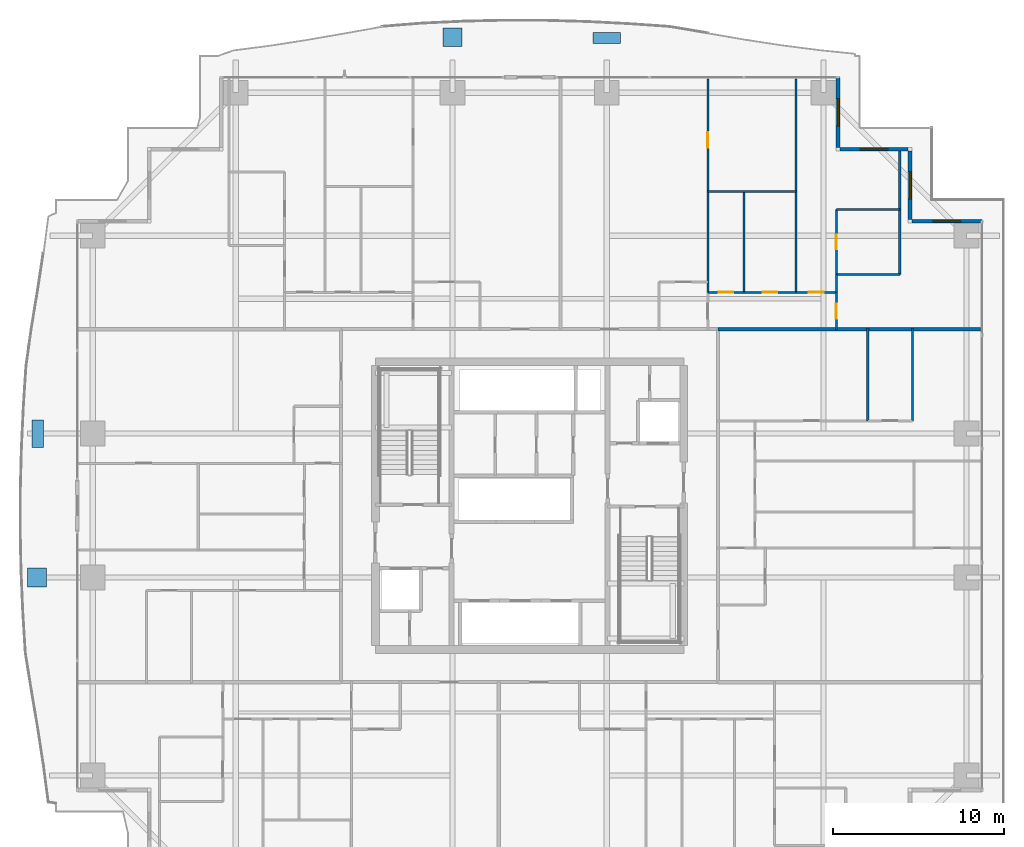
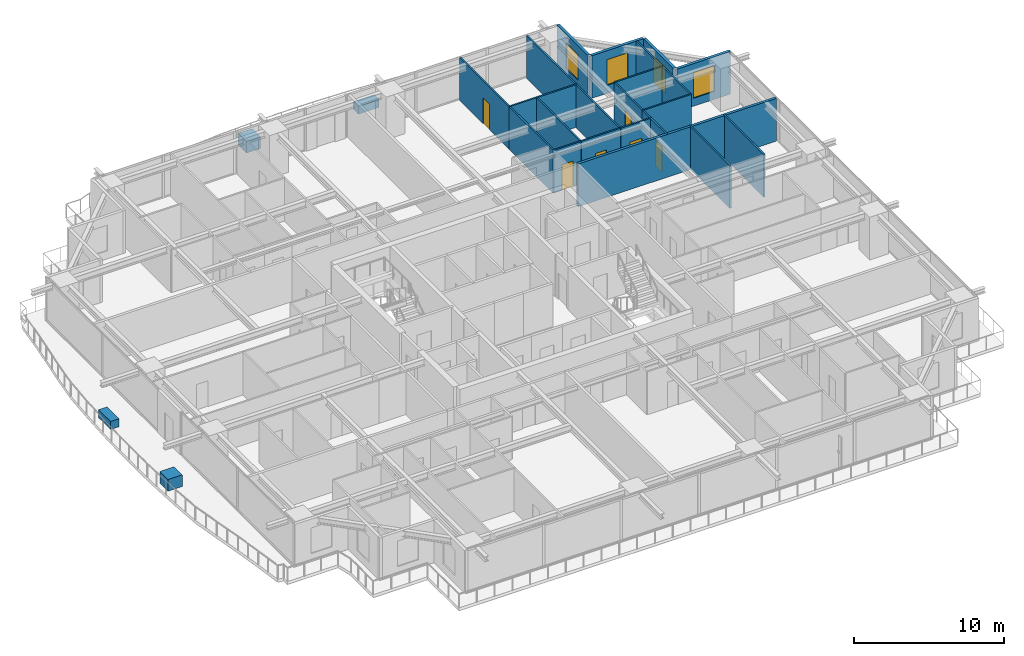
# One storey, part 28 of 36: 21 walls, 6 doors, 4 discrete accessories, 4 windows, 10 openings.
"""IFC4 building model written with IfcOpenShell, lengths in metres."""

from ifc_helpers import new_model, si_unit, direction, frame, frame_2d, origin, origin_2d, place, context, subcontext, project, spatial, rectangle, extrude, source, transform, mapped, material, layer, layer_set, type_object, element, fill, save


model = new_model("IFC4")

# Units and contexts
model_context = context("Model", 3, precision=1e-05, world=origin(), true_north=direction((0.0, 1.0)))
body_context = subcontext(model_context, "Body", "Model", "MODEL_VIEW")
ifc_project = project(units=[si_unit("LENGTHUNIT", "METRE"), si_unit("AREAUNIT", "SQUARE_METRE"), si_unit("VOLUMEUNIT", "CUBIC_METRE"), si_unit("PLANEANGLEUNIT", "RADIAN"), si_unit("MASSUNIT", "GRAM", prefix="KILO")], contexts=[model_context])

# Site, building, storey
site_placement = place(None, origin())
site = spatial("IfcSite", under=ifc_project, at=site_placement, CompositionType="ELEMENT")
building_placement = place(site_placement, origin())
building = spatial("IfcBuilding", under=site, at=building_placement, Name="Serunith Strait Residences", CompositionType="ELEMENT")
storey_placement = place(building_placement, frame((0.0, 0.0, 41.699951171875)))
storey = spatial("IfcBuildingStorey", under=building, at=storey_placement, Name="L09", CompositionType="ELEMENT", Elevation=41.699951171875)

# Wall, opening, window
ifc_material_1 = material(Name="Pale-Champagne Aluminium Insulated Panel", Category="aluminium")
ifc_layer_1 = layer(ifc_material_1, 0.219970703125, Name="Pale-Champagne Aluminium Insulated Panel")
ifc_layer_set_1 = layer_set([ifc_layer_1], Name="Pale-Champagne Aluminium Insulated Panel")
wall_type_1 = type_object("IfcWallType", Name="EW-ALUM-220", PredefinedType="ELEMENTEDWALL", material=ifc_layer_set_1)
wall_1_placement = place(storey_placement, frame((58.800048828125, 41.800048828125, 0.0), z_axis=(0.0, 0.0, 1.0), x_axis=(-1.0, 0.0, 0.0)))
wall_1 = element("IfcWall", 1, at=wall_1_placement, inside=storey, type_object=wall_type_1, Name="L09 Girih Serrated Corner Wall 07", PredefinedType="ELEMENTEDWALL", context=body_context, shape_type="SweptSolid", body=[
    extrude(rectangle(XDim=4.090087890625, YDim=0.219970703125, at=frame_2d((2.044921875, 0.0))), origin(), (0.0, 0.0, 1.0), 3.47509765625),
])
opening_1_placement = place(wall_1_placement, frame((1.2451171875, 0.0, 0.64990234375)))
opening_1 = element("IfcOpeningElement", 2, at=opening_1_placement, cuts=wall_1, Name="Opening W-02", PredefinedType="OPENING", context=body_context, shape_type="SweptSolid", body=[
    extrude(rectangle(XDim=1.60009765625, YDim=2.10009765625, at=frame_2d((0.800048828125, 1.050048828125))), frame((0.0, 0.1201171875, 0.0), z_axis=(0.0, -1.0, 0.0), x_axis=(1.0, 0.0, 0.0)), (0.0, 0.0, 1.0), 0.239990234375),
])
ifc_material_2 = material(Name="Ceramic-Fritted Operable Aluminium Window Glass", Category="aluminium")
window_type = type_object("IfcWindowType", Name="WIN-C2", PartitioningType="DOUBLE_PANEL_VERTICAL", PredefinedType="WINDOW", material=ifc_material_2)
shared_shape_1 = source(origin(), body_context, "Body", "SweptSolid", [
    extrude(rectangle(XDim=1.60009765625, YDim=2.10009765625, at=frame_2d((0.800048828125, 1.050048828125))), frame((0.0, 0.030029296875, 0.0), z_axis=(0.0, -1.0, 0.0), x_axis=(1.0, 0.0, 0.0)), (0.0, 0.0, 1.0), 0.06005859375),
])
window_1_placement = place(opening_1_placement, origin())
window_1 = element("IfcWindow", 3, at=window_1_placement, inside=storey, type_object=window_type, Name="L09 Corner Operable Fritted Window 07", OverallHeight=2.10009765625, OverallWidth=1.60009765625, PartitioningType="SINGLE_PANEL", PredefinedType="WINDOW", context=body_context, shape_type="MappedRepresentation", body=[
    mapped(shared_shape_1, transform((0.0, 0.0, 0.0), scale=1.0)),
])
fill(opening_1, window_1)

wall_2_placement = place(storey_placement, frame((54.60009765625, 41.909912109375, 0.0), z_axis=(0.0, 0.0, 1.0), x_axis=(0.0, 1.0, 0.0)))
wall_2 = element("IfcWall", 4, at=wall_2_placement, inside=storey, type_object=wall_type_1, Name="L09 Girih Serrated Corner Wall 08", PredefinedType="ELEMENTEDWALL", context=body_context, shape_type="SweptSolid", body=[
    extrude(rectangle(XDim=3.97998046875, YDim=0.219970703125, at=frame_2d((1.989990234375, 0.0))), origin(), (0.0, 0.0, 1.0), 3.47509765625),
])
opening_2_placement = place(wall_2_placement, frame((1.18994140625, 0.0, 0.64990234375)))
opening_2 = element("IfcOpeningElement", 5, at=opening_2_placement, cuts=wall_2, Name="Opening W-02", PredefinedType="OPENING", context=body_context, shape_type="SweptSolid", body=[
    extrude(rectangle(XDim=1.60009765625, YDim=2.10009765625, at=frame_2d((0.800048828125, 1.050048828125))), frame((0.0, 0.1201171875, 0.0), z_axis=(0.0, -1.0, 0.0), x_axis=(1.0, 0.0, 0.0)), (0.0, 0.0, 1.0), 0.239990234375),
])
window_2_placement = place(opening_2_placement, origin())
window_2 = element("IfcWindow", 6, at=window_2_placement, inside=storey, type_object=window_type, Name="L09 Corner Operable Fritted Window 08", OverallHeight=2.10009765625, OverallWidth=1.60009765625, PartitioningType="SINGLE_PANEL", PredefinedType="WINDOW", context=body_context, shape_type="MappedRepresentation", body=[
    mapped(shared_shape_1, transform((0.0, 0.0, 0.0), scale=1.0)),
])
fill(opening_2, window_2)

wall_3_placement = place(storey_placement, frame((54.489990234375, 46.0, 0.0), z_axis=(0.0, 0.0, 1.0), x_axis=(-1.0, 0.0, 0.0)))
wall_3 = element("IfcWall", 7, at=wall_3_placement, inside=storey, type_object=wall_type_1, Name="L09 Girih Serrated Corner Wall 09", PredefinedType="ELEMENTEDWALL", context=body_context, shape_type="SweptSolid", body=[
    extrude(rectangle(XDim=3.97998046875, YDim=0.219970703125, at=frame_2d((1.989990234375, 0.0))), origin(), (0.0, 0.0, 1.0), 3.47509765625),
])
opening_3_placement = place(wall_3_placement, frame((1.18994140625, 0.0, 0.64990234375)))
opening_3 = element("IfcOpeningElement", 8, at=opening_3_placement, cuts=wall_3, Name="Opening W-02", PredefinedType="OPENING", context=body_context, shape_type="SweptSolid", body=[
    extrude(rectangle(XDim=1.60009765625, YDim=2.10009765625, at=frame_2d((0.800048828125, 1.050048828125))), frame((0.0, 0.1201171875, 0.0), z_axis=(0.0, -1.0, 0.0), x_axis=(1.0, 0.0, 0.0)), (0.0, 0.0, 1.0), 0.239990234375),
])
window_3_placement = place(opening_3_placement, origin())
window_3 = element("IfcWindow", 9, at=window_3_placement, inside=storey, type_object=window_type, Name="L09 Corner Operable Fritted Window 09", OverallHeight=2.10009765625, OverallWidth=1.60009765625, PartitioningType="SINGLE_PANEL", PredefinedType="WINDOW", context=body_context, shape_type="MappedRepresentation", body=[
    mapped(shared_shape_1, transform((0.0, 0.0, 0.0), scale=1.0)),
])
fill(opening_3, window_3)

wall_4_placement = place(storey_placement, frame((50.39990234375, 46.110107421875, 0.0), z_axis=(0.0, 0.0, 1.0), x_axis=(0.0, 1.0, 0.0)))
wall_4 = element("IfcWall", 10, at=wall_4_placement, inside=storey, type_object=wall_type_1, Name="L09 Girih Serrated Corner Wall 10", PredefinedType="ELEMENTEDWALL", context=body_context, shape_type="SweptSolid", body=[
    extrude(rectangle(XDim=4.08984375, YDim=0.219970703125, at=frame_2d((2.044921875, 0.0))), origin(), (0.0, 0.0, 1.0), 3.47509765625),
])
opening_4_placement = place(wall_4_placement, frame((1.2451171875, 0.0, 0.64990234375)))
opening_4 = element("IfcOpeningElement", 11, at=opening_4_placement, cuts=wall_4, Name="Opening W-02", PredefinedType="OPENING", context=body_context, shape_type="SweptSolid", body=[
    extrude(rectangle(XDim=1.60009765625, YDim=2.10009765625, at=frame_2d((0.800048828125, 1.050048828125))), frame((0.0, 0.1201171875, 0.0), z_axis=(0.0, -1.0, 0.0), x_axis=(1.0, 0.0, 0.0)), (0.0, 0.0, 1.0), 0.239990234375),
])
window_4_placement = place(opening_4_placement, origin())
window_4 = element("IfcWindow", 12, at=window_4_placement, inside=storey, type_object=window_type, Name="L09 Corner Operable Fritted Window 10", OverallHeight=2.10009765625, OverallWidth=1.60009765625, PartitioningType="SINGLE_PANEL", PredefinedType="WINDOW", context=body_context, shape_type="MappedRepresentation", body=[
    mapped(shared_shape_1, transform((0.0, 0.0, 0.0), scale=1.0)),
])
fill(opening_4, window_4)

# Wall, opening, door
ifc_material_3 = material(Name="Lightweight steel-stud gypsum partition", Category="steel")
ifc_layer_2 = layer(ifc_material_3, 0.1201171875, Name="Lightweight steel-stud gypsum partition")
ifc_layer_set_2 = layer_set([ifc_layer_2], Name="Lightweight steel-stud gypsum partition")
wall_type_2 = type_object("IfcWallType", Name="IW-PART-120", PredefinedType="PARTITIONING", material=ifc_layer_set_2)
wall_5_placement = place(storey_placement, frame((42.800048828125, 50.10498046875, 0.0), z_axis=(0.0, 0.0, 1.0), x_axis=(0.0, -1.0, 0.0)))
wall_5 = element("IfcWall", 13, at=wall_5_placement, inside=storey, type_object=wall_type_2, Name="L09 Partition Wall 081", PredefinedType="PARTITIONING", context=body_context, shape_type="SweptSolid", body=[
    extrude(rectangle(XDim=6.56494140625, YDim=0.1201171875, at=frame_2d((3.282470703125, 0.0))), origin(), (0.0, 0.0, 1.0), 3.489990234375),
])
opening_5_placement = place(wall_5_placement, frame((3.115966796875, 0.0, 0.0)))
opening_5 = element("IfcOpeningElement", 14, at=opening_5_placement, cuts=wall_5, Name="Opening D-RM900", PredefinedType="OPENING", context=body_context, shape_type="SweptSolid", body=[
    extrude(rectangle(XDim=0.89990234375, YDim=2.10009765625, at=frame_2d((0.449951171875, 1.050048828125))), frame((0.0, 0.070068359375, 0.0), z_axis=(0.0, -1.0, 0.0), x_axis=(1.0, 0.0, 0.0)), (0.0, 0.0, 1.0), 0.14013671875),
])
ifc_material_4 = material(Name="Engineered timber flush bedroom door", Category="wood")
door_type_1 = type_object("IfcDoorType", Name="ID-ROOM-900", OperationType="NOTDEFINED", PredefinedType="DOOR", material=ifc_material_4)
shared_shape_2 = source(origin(), body_context, "Body", "SweptSolid", [
    extrude(rectangle(XDim=0.89990234375, YDim=2.10009765625, at=frame_2d((0.449951171875, 1.050048828125))), frame((0.0, 0.02490234375, 0.0), z_axis=(0.0, -1.0, 0.0), x_axis=(1.0, 0.0, 0.0)), (0.0, 0.0, 1.0), 0.050048828125),
])
door_1_placement = place(opening_5_placement, origin())
door_1 = element("IfcDoor", 15, at=door_1_placement, inside=storey, type_object=door_type_1, Name="L09 Formal Dining Room 1 0904 Door", OperationType="SINGLE_SWING_LEFT", OverallHeight=2.10009765625, OverallWidth=0.89990234375, PredefinedType="DOOR", context=body_context, shape_type="MappedRepresentation", body=[
    mapped(shared_shape_2, transform((0.0, 0.0, 0.0), scale=1.0)),
])
fill(opening_5, door_1)

# Walls
wall_6_placement = place(storey_placement, frame((42.800048828125, 43.5380859375, 0.0), z_axis=(0.0, 0.0, 1.0), x_axis=(0.0, -1.0, 0.0)))
element("IfcWall", 16, at=wall_6_placement, inside=storey, type_object=wall_type_2, Name="L09 Partition Wall 082", PredefinedType="PARTITIONING", context=body_context, shape_type="SweptSolid", body=[
    extrude(rectangle(XDim=5.885986328125, YDim=0.1201171875, at=frame_2d((2.94287109375, 0.0))), origin(), (0.0, 0.0, 1.0), 3.489990234375),
])
wall_7_placement = place(storey_placement, frame((42.800048828125, 43.5400390625, 0.0), z_axis=(0.0, 0.0, 1.0), x_axis=(1.0, 0.0, 0.0)))
element("IfcWall", 17, at=wall_7_placement, inside=storey, type_object=wall_type_2, Name="L09 Partition Wall 083", PredefinedType="PARTITIONING", context=body_context, shape_type="SweptSolid", body=[
    extrude(rectangle(XDim=5.14990234375, YDim=0.1201171875, at=frame_2d((2.574951171875, 0.0))), origin(), (0.0, 0.0, 1.0), 3.489990234375),
])
wall_8_placement = place(storey_placement, frame((47.949951171875, 50.10498046875, 0.0), z_axis=(0.0, 0.0, 1.0), x_axis=(0.0, -1.0, 0.0)))
element("IfcWall", 18, at=wall_8_placement, inside=storey, type_object=wall_type_2, Name="L09 Partition Wall 084", PredefinedType="PARTITIONING", context=body_context, shape_type="SweptSolid", body=[
    extrude(rectangle(XDim=12.455078125, YDim=0.1201171875, at=frame_2d((6.2275390625, 0.0))), origin(), (0.0, 0.0, 1.0), 3.489990234375),
])
wall_9_placement = place(storey_placement, frame((44.89990234375, 43.5400390625, 0.0), z_axis=(0.0, 0.0, 1.0), x_axis=(0.0, -1.0, 0.0)))
element("IfcWall", 19, at=wall_9_placement, inside=storey, type_object=wall_type_2, Name="L09 Partition Wall 085", PredefinedType="PARTITIONING", context=body_context, shape_type="SweptSolid", body=[
    extrude(rectangle(XDim=5.89013671875, YDim=0.1201171875, at=frame_2d((2.945068359375, 0.0))), origin(), (0.0, 0.0, 1.0), 3.489990234375),
])

# Wall, opening, door
wall_10_placement = place(storey_placement, frame((42.800048828125, 37.64990234375, 0.0), z_axis=(0.0, 0.0, 1.0), x_axis=(1.0, 0.0, 0.0)))
wall_10 = element("IfcWall", 20, at=wall_10_placement, inside=storey, type_object=wall_type_2, Name="L09 Partition Wall 086", PredefinedType="PARTITIONING", context=body_context, shape_type="SweptSolid", body=[
    extrude(rectangle(XDim=2.099853515625, YDim=0.1201171875, at=frame_2d((1.0498046875, 0.0))), origin(), (0.0, 0.0, 1.0), 3.489990234375),
])
opening_6_placement = place(wall_10_placement, frame((0.625, 0.0, 0.0)))
opening_6 = element("IfcOpeningElement", 21, at=opening_6_placement, cuts=wall_10, Name="Opening D-BTH850", PredefinedType="OPENING", context=body_context, shape_type="SweptSolid", body=[
    extrude(rectangle(XDim=0.85009765625, YDim=2.10009765625, at=frame_2d((0.425048828125, 1.050048828125))), frame((0.0, 0.070068359375, 0.0), z_axis=(0.0, -1.0, 0.0), x_axis=(1.0, 0.0, 0.0)), (0.0, 0.0, 1.0), 0.14013671875),
])
ifc_material_5 = material(Name="Moisture-resistant timber bathroom door", Category="wood")
door_type_2 = type_object("IfcDoorType", Name="ID-BATH-850", OperationType="NOTDEFINED", PredefinedType="DOOR", material=ifc_material_5)
shared_shape_3 = source(origin(), body_context, "Body", "SweptSolid", [
    extrude(rectangle(XDim=0.85009765625, YDim=2.10009765625, at=frame_2d((0.425048828125, 1.050048828125))), frame((0.0, 0.02490234375, 0.0), z_axis=(0.0, -1.0, 0.0), x_axis=(1.0, 0.0, 0.0)), (0.0, 0.0, 1.0), 0.050048828125),
])
door_2_placement = place(opening_6_placement, origin())
door_2 = element("IfcDoor", 22, at=door_2_placement, inside=storey, type_object=door_type_2, Name="L09 Bathroom 0904 Door", OperationType="SINGLE_SWING_RIGHT", OverallHeight=2.10009765625, OverallWidth=0.85009765625, PredefinedType="DOOR", context=body_context, shape_type="MappedRepresentation", body=[
    mapped(shared_shape_3, transform((0.0, 0.0, 0.0), scale=1.0)),
])
fill(opening_6, door_2)

wall_11_placement = place(storey_placement, frame((44.902099609375, 37.64990234375, 0.0), z_axis=(0.0, 0.0, 1.0), x_axis=(1.0, 0.0, 0.0)))
wall_11 = element("IfcWall", 23, at=wall_11_placement, inside=storey, type_object=wall_type_2, Name="L09 Partition Wall 087", PredefinedType="PARTITIONING", context=body_context, shape_type="SweptSolid", body=[
    extrude(rectangle(XDim=3.0478515625, YDim=0.1201171875, at=frame_2d((1.52392578125, 0.0))), origin(), (0.0, 0.0, 1.0), 3.489990234375),
])
opening_7_placement = place(wall_11_placement, frame((1.09912109375, 0.0, 0.0)))
opening_7 = element("IfcOpeningElement", 24, at=opening_7_placement, cuts=wall_11, Name="Opening D-RM850", PredefinedType="OPENING", context=body_context, shape_type="SweptSolid", body=[
    extrude(rectangle(XDim=0.85009765625, YDim=2.10009765625, at=frame_2d((0.425048828125, 1.050048828125))), frame((0.0, 0.070068359375, 0.0), z_axis=(0.0, -1.0, 0.0), x_axis=(1.0, 0.0, 0.0)), (0.0, 0.0, 1.0), 0.14013671875),
])
ifc_material_6 = material(Name="Engineered timber flush study and kitchen door", Category="wood")
door_type_3 = type_object("IfcDoorType", Name="ID-ROOM-850", OperationType="NOTDEFINED", PredefinedType="DOOR", material=ifc_material_6)
door_3_placement = place(opening_7_placement, origin())
door_3 = element("IfcDoor", 25, at=door_3_placement, inside=storey, type_object=door_type_3, Name="L09 Formal Dining Room 0904 Door", OperationType="SINGLE_SWING_LEFT", OverallHeight=2.10009765625, OverallWidth=0.85009765625, PredefinedType="DOOR", context=body_context, shape_type="MappedRepresentation", body=[
    mapped(shared_shape_3, transform((0.0, 0.0, 0.0), scale=1.0)),
])
fill(opening_7, door_3)

wall_12_placement = place(storey_placement, frame((47.951904296875, 37.64990234375, 0.0), z_axis=(0.0, 0.0, 1.0), x_axis=(1.0, 0.0, 0.0)))
wall_12 = element("IfcWall", 26, at=wall_12_placement, inside=storey, type_object=wall_type_2, Name="L09 Partition Wall 088", PredefinedType="PARTITIONING", context=body_context, shape_type="SweptSolid", body=[
    extrude(rectangle(XDim=2.34814453125, YDim=0.1201171875, at=frame_2d((1.174072265625, 0.0))), origin(), (0.0, 0.0, 1.0), 3.489990234375),
])
opening_8_placement = place(wall_12_placement, frame((0.72412109375, 0.0, 0.0)))
opening_8 = element("IfcOpeningElement", 27, at=opening_8_placement, cuts=wall_12, Name="Opening D-RM900", PredefinedType="OPENING", context=body_context, shape_type="SweptSolid", body=[
    extrude(rectangle(XDim=0.89990234375, YDim=2.10009765625, at=frame_2d((0.449951171875, 1.050048828125))), frame((0.0, 0.070068359375, 0.0), z_axis=(0.0, -1.0, 0.0), x_axis=(1.0, 0.0, 0.0)), (0.0, 0.0, 1.0), 0.14013671875),
])
door_4_placement = place(opening_8_placement, origin())
door_4 = element("IfcDoor", 28, at=door_4_placement, inside=storey, type_object=door_type_1, Name="L09 Master Bedroom E 0904 Door", OperationType="SINGLE_SWING_RIGHT", OverallHeight=2.10009765625, OverallWidth=0.89990234375, PredefinedType="DOOR", context=body_context, shape_type="MappedRepresentation", body=[
    mapped(shared_shape_2, transform((0.0, 0.0, 0.0), scale=1.0)),
])
fill(opening_8, door_4)

# Walls
wall_13_placement = place(storey_placement, frame((50.300048828125, 42.47705078125, 0.0), z_axis=(0.0, 0.0, 1.0), x_axis=(1.0, 0.0, 0.0)))
element("IfcWall", 29, at=wall_13_placement, inside=storey, type_object=wall_type_2, Name="L09 Partition Wall 089", PredefinedType="PARTITIONING", context=body_context, shape_type="SweptSolid", body=[
    extrude(rectangle(XDim=3.699951171875, YDim=0.1201171875, at=frame_2d((1.85009765625, 0.0))), origin(), (0.0, 0.0, 1.0), 3.489990234375),
])
wall_14_placement = place(storey_placement, frame((54.0, 45.905029296875, 0.0), z_axis=(0.0, 0.0, 1.0), x_axis=(0.0, -1.0, 0.0)))
element("IfcWall", 30, at=wall_14_placement, inside=storey, type_object=wall_type_2, Name="L09 Partition Wall 090", PredefinedType="PARTITIONING", context=body_context, shape_type="SweptSolid", body=[
    extrude(rectangle(XDim=7.2119140625, YDim=0.1201171875, at=frame_2d((3.60595703125, 0.0))), origin(), (0.0, 0.0, 1.0), 3.489990234375),
])
wall_15_placement = place(storey_placement, frame((50.300048828125, 38.693115234375, 0.0), z_axis=(0.0, 0.0, 1.0), x_axis=(1.0, 0.0, 0.0)))
element("IfcWall", 31, at=wall_15_placement, inside=storey, type_object=wall_type_2, Name="L09 Partition Wall 091", PredefinedType="PARTITIONING", context=body_context, shape_type="SweptSolid", body=[
    extrude(rectangle(XDim=3.699951171875, YDim=0.1201171875, at=frame_2d((1.85009765625, 0.0))), origin(), (0.0, 0.0, 1.0), 3.489990234375),
])

# Wall, opening, door
wall_16_placement = place(storey_placement, frame((50.300048828125, 42.47705078125, 0.0), z_axis=(0.0, 0.0, 1.0), x_axis=(0.0, -1.0, 0.0)))
wall_16 = element("IfcWall", 32, at=wall_16_placement, inside=storey, type_object=wall_type_2, Name="L09 Partition Wall 092", PredefinedType="PARTITIONING", context=body_context, shape_type="SweptSolid", body=[
    extrude(rectangle(XDim=3.783935546875, YDim=0.1201171875, at=frame_2d((1.89208984375, 0.0))), origin(), (0.0, 0.0, 1.0), 3.489990234375),
])
opening_9_placement = place(wall_16_placement, frame((1.467041015625, 0.0, 0.0)))
opening_9 = element("IfcOpeningElement", 33, at=opening_9_placement, cuts=wall_16, Name="Opening D-BTH850", PredefinedType="OPENING", context=body_context, shape_type="SweptSolid", body=[
    extrude(rectangle(XDim=0.85009765625, YDim=2.10009765625, at=frame_2d((0.425048828125, 1.050048828125))), frame((0.0, 0.070068359375, 0.0), z_axis=(0.0, -1.0, 0.0), x_axis=(1.0, 0.0, 0.0)), (0.0, 0.0, 1.0), 0.14013671875),
])
door_5_placement = place(opening_9_placement, origin())
door_5 = element("IfcDoor", 34, at=door_5_placement, inside=storey, type_object=door_type_2, Name="L09 En-suite Bathroom E 0904 Door", OperationType="SINGLE_SWING_LEFT", OverallHeight=2.10009765625, OverallWidth=0.85009765625, PredefinedType="DOOR", context=body_context, shape_type="MappedRepresentation", body=[
    mapped(shared_shape_3, transform((0.0, 0.0, 0.0), scale=1.0)),
])
fill(opening_9, door_5)

# Wall
wall_17_placement = place(storey_placement, frame((50.300048828125, 38.69091796875, 0.0), z_axis=(0.0, 0.0, 1.0), x_axis=(0.0, -1.0, 0.0)))
element("IfcWall", 35, at=wall_17_placement, inside=storey, type_object=wall_type_2, Name="L09 Partition Wall 093", PredefinedType="PARTITIONING", context=body_context, shape_type="SweptSolid", body=[
    extrude(rectangle(XDim=1.041015625, YDim=0.1201171875, at=frame_2d((0.5205078125, 0.0))), origin(), (0.0, 0.0, 1.0), 3.489990234375),
])

# Wall, opening, door
wall_18_placement = place(storey_placement, frame((50.300048828125, 37.64794921875, 0.0), z_axis=(0.0, 0.0, 1.0), x_axis=(0.0, -1.0, 0.0)))
wall_18 = element("IfcWall", 36, at=wall_18_placement, inside=storey, type_object=wall_type_2, Name="L09 Partition Wall 094", PredefinedType="PARTITIONING", context=body_context, shape_type="SweptSolid", body=[
    extrude(rectangle(XDim=2.2080078125, YDim=0.1201171875, at=frame_2d((1.10400390625, 0.0))), origin(), (0.0, 0.0, 1.0), 3.489990234375),
])
opening_10_placement = place(wall_18_placement, frame((0.678955078125, 0.0, 0.0)))
opening_10 = element("IfcOpeningElement", 37, at=opening_10_placement, cuts=wall_18, Name="Opening D-RM850", PredefinedType="OPENING", context=body_context, shape_type="SweptSolid", body=[
    extrude(rectangle(XDim=0.85009765625, YDim=2.10009765625, at=frame_2d((0.425048828125, 1.050048828125))), frame((0.0, 0.070068359375, 0.0), z_axis=(0.0, -1.0, 0.0), x_axis=(1.0, 0.0, 0.0)), (0.0, 0.0, 1.0), 0.14013671875),
])
door_6_placement = place(opening_10_placement, origin())
door_6 = element("IfcDoor", 38, at=door_6_placement, inside=storey, type_object=door_type_3, Name="L09 Wardrobe E 0904 Door", OperationType="SINGLE_SWING_RIGHT", OverallHeight=2.10009765625, OverallWidth=0.85009765625, PredefinedType="DOOR", context=body_context, shape_type="MappedRepresentation", body=[
    mapped(shared_shape_3, transform((0.0, 0.0, 0.0), scale=1.0)),
])
fill(opening_10, door_6)

# Walls
for number, where, z_axis, x_axis, name in (
    (39, (54.75, 30.14990234375, 0.0), (0.0, 0.0, 1.0), (0.0, 1.0, 0.0), "L09 Partition Wall 122"),
    (40, (52.133056640625, 30.14990234375, 0.0), (0.0, 0.0, 1.0), (0.0, 1.0, 0.0), "L09 Partition Wall 123"),
):
    element("IfcWall", number, at=place(storey_placement, frame(where, z_axis=z_axis, x_axis=x_axis)), inside=storey, type_object=wall_type_2, Name=name, PredefinedType="PARTITIONING", context=body_context, shape_type="SweptSolid", body=[
        extrude(rectangle(XDim=5.41015625, YDim=0.1201171875, at=frame_2d((2.705078125, 0.0))), origin(), (0.0, 0.0, 1.0), 3.489990234375),
    ])
ifc_material_7 = material(Name="Twin-stud acoustic gypsum board partition")
ifc_layer_3 = layer(ifc_material_7, 0.199951171875, Name="Twin-stud acoustic gypsum board partition")
ifc_layer_set_3 = layer_set([ifc_layer_3], Name="Twin-stud acoustic gypsum board partition")
wall_type_3 = type_object("IfcWallType", Name="IW-PARTY-200", PredefinedType="PARTITIONING", material=ifc_layer_set_3)
wall_19_placement = place(storey_placement, frame((43.39990234375, 35.5, 0.0), z_axis=(0.0, 0.0, 1.0), x_axis=(1.0, 0.0, 0.0)))
element("IfcWall", 41, at=wall_19_placement, inside=storey, type_object=wall_type_3, Name="L09 Partition Wall 022", PredefinedType="PARTITIONING", context=body_context, shape_type="SweptSolid", body=[
    extrude(rectangle(XDim=15.318115234375, YDim=0.199951171875, at=frame_2d((7.6591796875, 0.0))), origin(), (0.0, 0.0, 1.0), 3.489990234375),
])

# Discrete accessories
ifc_material_8 = material(Name="GFRC Root-Anchored Structural Planter")
discrete_accessory_type_1 = type_object("IfcDiscreteAccessoryType", Name="ACC-PLANTER-TREE", PredefinedType="USERDEFINED", material=ifc_material_8)
shared_shape_4 = source(origin(), body_context, "Body", "SweptSolid", [
    extrude(rectangle(XDim=1.10009765625, YDim=1.10009765625, at=origin_2d()), origin(), (0.0, 0.0, 1.0), 0.949951171875),
])
for number, where, z_axis, x_axis, name in (
    (42, (27.89990234375, 52.531982421875, -0.0498046875), (0.0, 0.0, 1.0), (-1.0, 0.0, 0.0), "L09 Vertical-Forest Tree Planter 06"),
    (43, (3.64599609375, 21.0, -0.0498046875), (0.0, 0.0, 1.0), (0.0, -1.0, 0.0), "L09 Vertical-Forest Tree Planter 14"),
):
    element("IfcDiscreteAccessory", number, at=place(storey_placement, frame(where, z_axis=z_axis, x_axis=x_axis)), inside=storey, type_object=discrete_accessory_type_1, Name=name, ObjectType="PLANTER", PredefinedType="USERDEFINED", context=body_context, shape_type="MappedRepresentation", body=[
        mapped(shared_shape_4, transform((0.0, 0.0, 0.0), scale=1.0)),
    ])
ifc_material_9 = material(Name="GFRC Irrigated Shrub Trough Planter")
discrete_accessory_type_2 = type_object("IfcDiscreteAccessoryType", Name="ACC-PLANTER-SHRUB", PredefinedType="USERDEFINED", material=ifc_material_9)
shared_shape_5 = source(origin(), body_context, "Body", "SweptSolid", [
    extrude(rectangle(XDim=1.60009765625, YDim=0.64990234375, at=origin_2d()), origin(), (0.0, 0.0, 1.0), 0.64990234375),
])
for number, where, z_axis, x_axis, name in (
    (44, (36.89990234375, 52.48388671875, -0.0498046875), (0.0, 0.0, 1.0), (-1.0, 0.0, 0.0), "L09 Vertical-Forest Shrub Planter 07"),
    (45, (3.691162109375, 29.39990234375, -0.0498046875), (0.0, 0.0, 1.0), (0.0, -1.0, 0.0), "L09 Vertical-Forest Shrub Planter 15"),
):
    element("IfcDiscreteAccessory", number, at=place(storey_placement, frame(where, z_axis=z_axis, x_axis=x_axis)), inside=storey, type_object=discrete_accessory_type_2, Name=name, ObjectType="PLANTER", PredefinedType="USERDEFINED", context=body_context, shape_type="MappedRepresentation", body=[
        mapped(shared_shape_5, transform((0.0, 0.0, 0.0), scale=1.0)),
    ])

save(model, "model.ifc")
